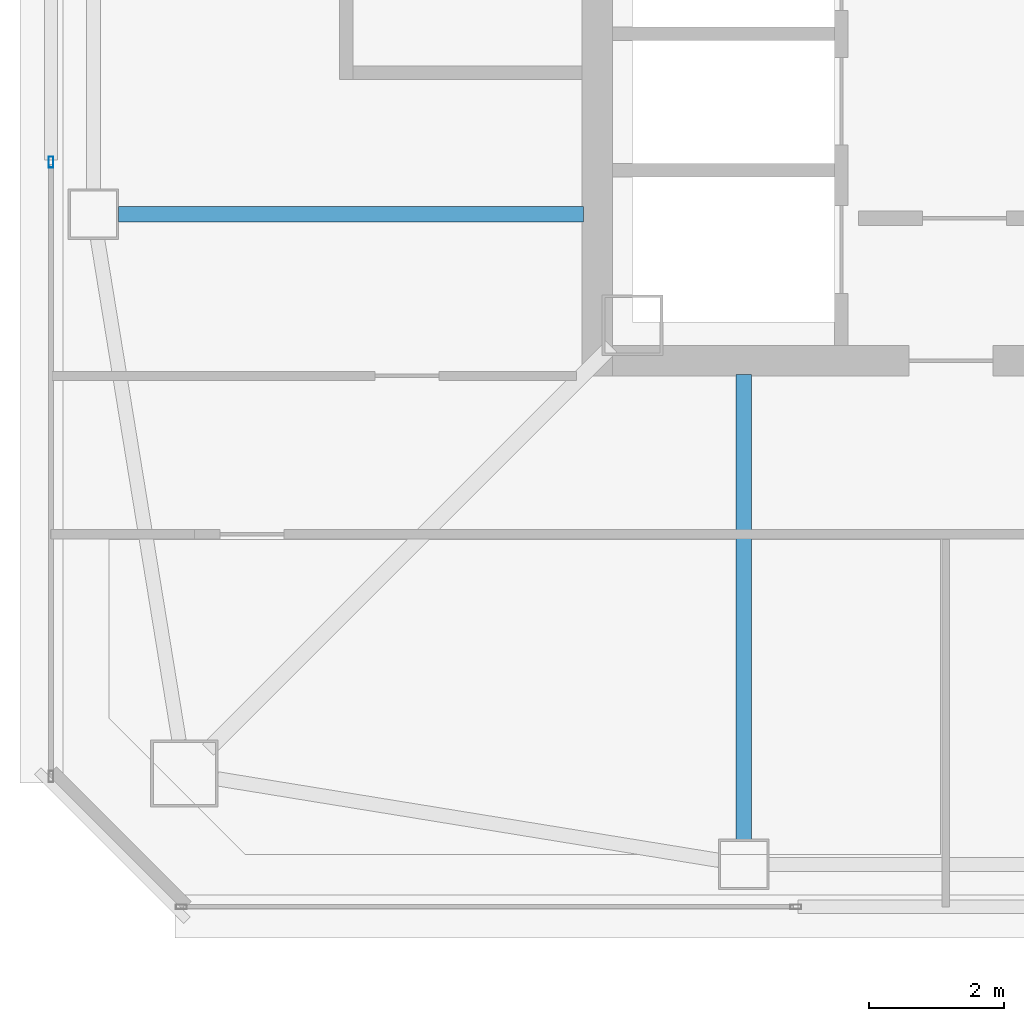
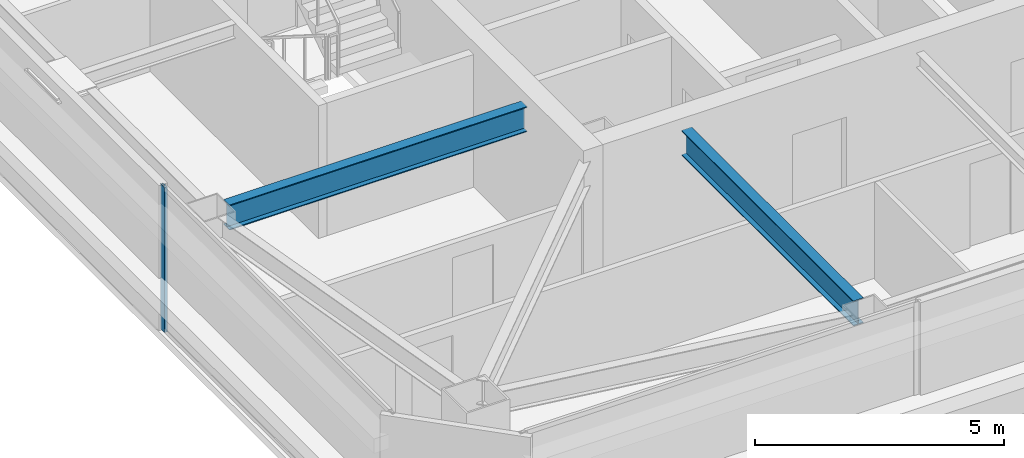
# One storey, part 5 of 39: 2 beams, 1 member, 1 element without a shape of its own.
"""IFC4 building model written with IfcOpenShell, lengths in metres."""

from ifc_helpers import new_model, si_unit, direction, frame, origin, origin_2d, place, context, subcontext, project, spatial, hollow_rectangle, i_section, extrude, material, material_profile, profile_set, type_object, element, aggregate, save


model = new_model("IFC4")

# Units and contexts
model_context = context("Model", 3, precision=1e-05, world=origin(), true_north=direction((0.0, 1.0)))
body_context = subcontext(model_context, "Body", "Model", "MODEL_VIEW")
ifc_project = project(units=[si_unit("LENGTHUNIT", "METRE"), si_unit("AREAUNIT", "SQUARE_METRE"), si_unit("VOLUMEUNIT", "CUBIC_METRE"), si_unit("PLANEANGLEUNIT", "RADIAN"), si_unit("MASSUNIT", "GRAM", prefix="KILO")], contexts=[model_context])

# Site, building, storey
site_placement = place(None, origin())
site = spatial("IfcSite", under=ifc_project, at=site_placement, CompositionType="ELEMENT")
building_placement = place(site_placement, origin())
building = spatial("IfcBuilding", under=site, at=building_placement, Name="Tashvorn Skyway Center", CompositionType="ELEMENT")
storey_placement = place(building_placement, frame((0.0, 0.0, 243.25)))
storey = spatial("IfcBuildingStorey", under=building, at=storey_placement, Name="L66", CompositionType="ELEMENT", Elevation=243.25)

# Beams
ifc_material_1 = material(Name="Steel ASTM A992 Grade 50", Category="steel")
ifc_material_profile_1 = material_profile(ifc_material_1, i_section(OverallWidth=0.22998046875, OverallDepth=0.616943359375, WebThickness=0.01318359375, FlangeThickness=0.022216796875, at=origin_2d()), Name="W24X94")
ifc_profile_set_1 = profile_set([ifc_material_profile_1], Name="Steel ASTM A992 Grade 50")
beam_type = type_object("IfcBeamType", Name="BM-BEAM-W24X94", PredefinedType="BEAM", material=ifc_profile_set_1)
for number, where, z_axis, x_axis, name in (
    (1, (36.60009765625, 17.320068359375, 2.94140625), (0.0, 1.0, 0.0), (-1.0, 0.0, 0.0), "Tower 1 L66 Primary Floor Girder FC-S1"),
    (2, (27.320068359375, 26.60009765625, 2.94140625), (1.0, 0.0, 0.0), (0.0, 1.0, 0.0), "Tower 1 L66 Primary Floor Girder FC-W2"),
):
    element("IfcBeam", number, at=place(storey_placement, frame(where, z_axis=z_axis, x_axis=x_axis)), inside=storey, type_object=beam_type, Name=name, PredefinedType="BEAM", context=body_context, shape_type="SweptSolid", body=[
        extrude(i_section(OverallWidth=0.22998046875, OverallDepth=0.616943359375, WebThickness=0.01318359375, FlangeThickness=0.022216796875, at=origin_2d()), origin(), (0.0, 0.0, 1.0), 6.89990234375),
    ])

# Curtain wall, member
ifc_material_2 = material(Name="Thermally broken bronze-anodized aluminium 6063-T6", Category="aluminium")
curtain_wall_type = type_object("IfcCurtainWallType", Name="CW-CW-Z5", PredefinedType="NOTDEFINED", material=ifc_material_2)
curtain_wall_placement = place(storey_placement, origin())
curtain_wall = element("IfcCurtainWall", 3, at=curtain_wall_placement, inside=storey, type_object=curtain_wall_type, Name="Tower 1 L66 West Unitised Curtain Wall Glazing Group 1", PredefinedType="NOTDEFINED")
ifc_material_profile_2 = material_profile(ifc_material_2, hollow_rectangle(XDim=0.070068359375, YDim=0.1650390625, WallThickness=0.00390625, at=origin_2d()), Name="ALU-MULL-70x165")
ifc_profile_set_2 = profile_set([ifc_material_profile_2], Name="Thermally broken bronze-anodized aluminium 6063-T6")
member_type = type_object("IfcMemberType", Name="CWM-CW-Z5", PredefinedType="MULLION", material=ifc_profile_set_2)
member_placement = place(storey_placement, frame((26.320068359375, 27.37158203125, 0.0), z_axis=(0.0, 0.0, 1.0), x_axis=(-1.0, 0.0, 0.0)))
member = element("IfcMember", 4, at=member_placement, type_object=member_type, Name="CW-Z5 mullion 2", PredefinedType="MULLION", context=body_context, shape_type="SweptSolid", body=[
    extrude(hollow_rectangle(XDim=0.070068359375, YDim=0.1650390625, WallThickness=0.00390625, at=origin_2d()), origin(), (0.0, 0.0, 1.0), 3.550048828125),
])
aggregate(curtain_wall, [member])

save(model, "model.ifc")
